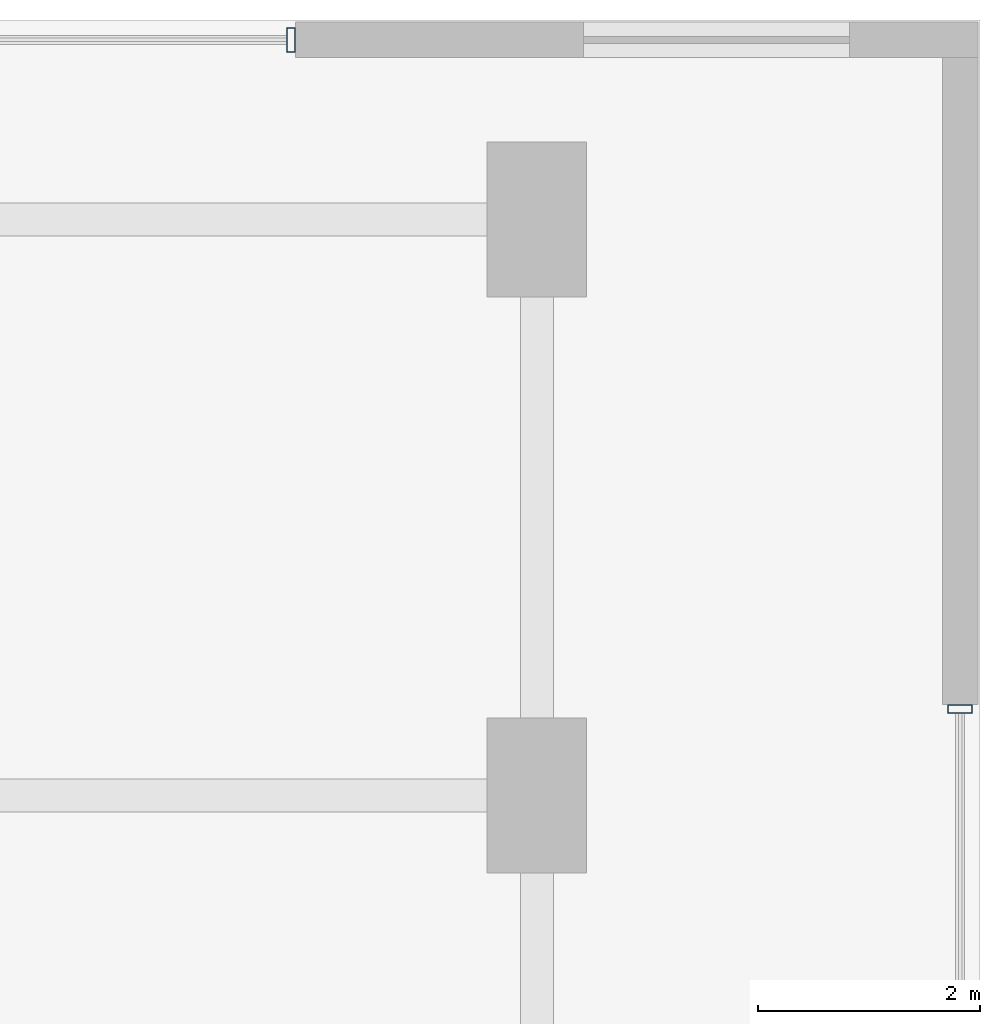
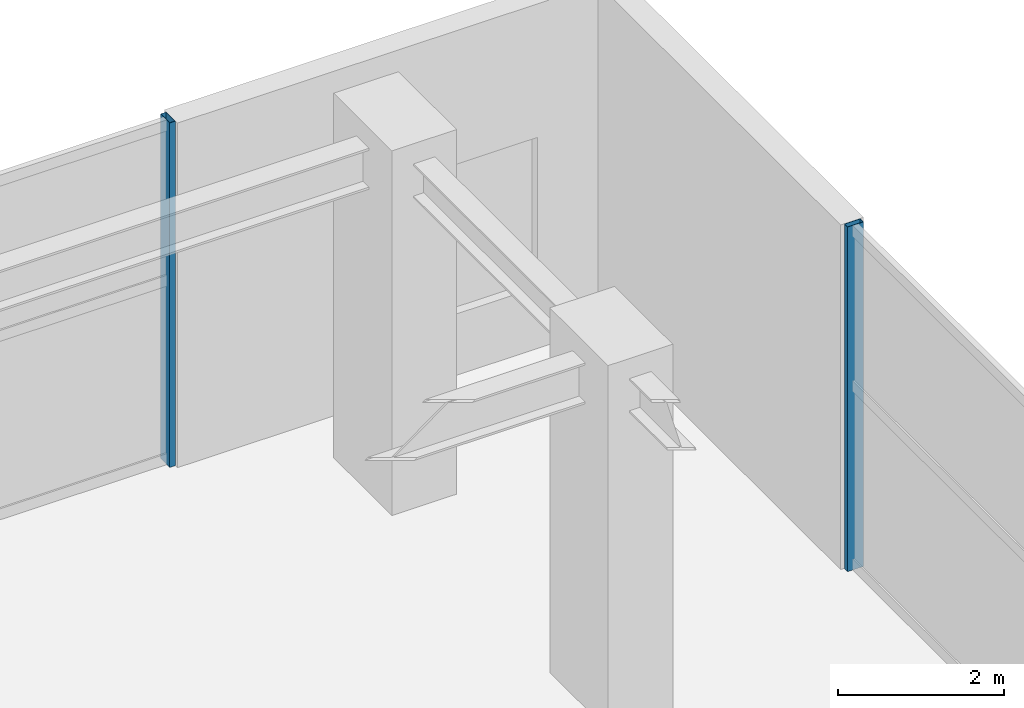
# One storey, part 25 of 32: 2 members, 2 elements without a shape of their own.
"""IFC4 building model written with IfcOpenShell, lengths in metres."""

from ifc_helpers import new_model, si_unit, direction, frame, origin, origin_2d, place, context, subcontext, project, spatial, hollow_rectangle, extrude, source, transform, mapped, material, material_profile, profile_set, type_object, element, aggregate, save


model = new_model("IFC4")

# Units and contexts
model_context = context("Model", 3, precision=1e-05, world=origin(), true_north=direction((0.0, 1.0)))
body_context = subcontext(model_context, "Body", "Model", "MODEL_VIEW")
ifc_project = project(units=[si_unit("LENGTHUNIT", "METRE"), si_unit("AREAUNIT", "SQUARE_METRE"), si_unit("VOLUMEUNIT", "CUBIC_METRE"), si_unit("PLANEANGLEUNIT", "RADIAN"), si_unit("MASSUNIT", "GRAM", prefix="KILO")], contexts=[model_context])

# Site, building, storey
site_placement = place(None, origin())
site = spatial("IfcSite", under=ifc_project, at=site_placement, CompositionType="ELEMENT")
building_placement = place(site_placement, origin())
building = spatial("IfcBuilding", under=site, at=building_placement, Name="Nahalor Promenade Grand Hotel", CompositionType="ELEMENT")
storey_placement = place(building_placement, frame((0.0, 0.0, 10.800048828125)))
storey = spatial("IfcBuildingStorey", under=building, at=storey_placement, Name="L02", CompositionType="ELEMENT", Elevation=10.800048828125)

# Curtain wall, member
ifc_material = material(Name="Anodised Bronze Aluminium EN AW-6063 T6", Category="aluminium")
curtain_wall_type = type_object("IfcCurtainWallType", Name="CW1 Waterfront Podium Bronze Arcade Curtain Wall", PredefinedType="USERDEFINED", material=ifc_material)
curtain_wall_1_placement = place(storey_placement, origin())
curtain_wall_1 = element("IfcCurtainWall", 1, at=curtain_wall_1_placement, inside=storey, type_object=curtain_wall_type, Name="L02 Curtain Wall CW-L02-N", ObjectType="UNITISED_CURTAIN_WALL", PredefinedType="USERDEFINED")
ifc_material_profile = material_profile(ifc_material, hollow_rectangle(XDim=0.08, YDim=0.22, WallThickness=0.005, at=origin_2d()), Name="CWM 80x220x5")
ifc_profile_set = profile_set([ifc_material_profile], Name="Anodised Bronze Aluminium EN AW-6063 T6")
member_type = type_object("IfcMemberType", Name="CWM1 Podium Bronze Mullion 80x220", PredefinedType="MULLION", material=ifc_profile_set)
shared_shape = source(origin(), body_context, "Body", "SweptSolid", [
    extrude(hollow_rectangle(XDim=0.08, YDim=0.22, WallThickness=0.005, at=origin_2d()), origin(), (0.0, 0.0, 1.0), 5.06005859375),
])
member_1_placement = place(storey_placement, frame((30.780029296875, 23.820068359375, 0.0), z_axis=(0.0, 0.0, 1.0), x_axis=(1.0, 0.0, 0.0)))
member_1 = element("IfcMember", 2, at=member_1_placement, type_object=member_type, Name="CW-L02-N Mullion 6", PredefinedType="MULLION", context=body_context, shape_type="MappedRepresentation", body=[
    mapped(shared_shape, transform((0.0, 0.0, 0.0), scale=1.0)),
])
aggregate(curtain_wall_1, [member_1])

curtain_wall_2_placement = place(storey_placement, origin())
curtain_wall_2 = element("IfcCurtainWall", 3, at=curtain_wall_2_placement, inside=storey, type_object=curtain_wall_type, Name="L02 Curtain Wall CW-L02-E", ObjectType="UNITISED_CURTAIN_WALL", PredefinedType="USERDEFINED")
member_2_placement = place(storey_placement, frame((36.820068359375, 17.780029296875, 0.0), z_axis=(0.0, 0.0, 1.0), x_axis=(0.0, 1.0, 0.0)))
member_2 = element("IfcMember", 4, at=member_2_placement, type_object=member_type, Name="CW-L02-E Mullion 3", PredefinedType="MULLION", context=body_context, shape_type="MappedRepresentation", body=[
    mapped(shared_shape, transform((0.0, 0.0, 0.0), scale=1.0)),
])
aggregate(curtain_wall_2, [member_2])

save(model, "model.ifc")
